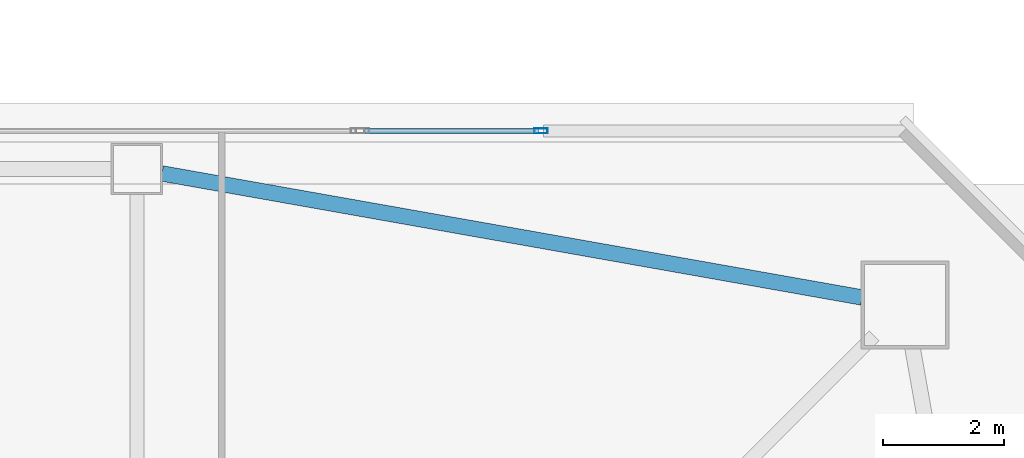
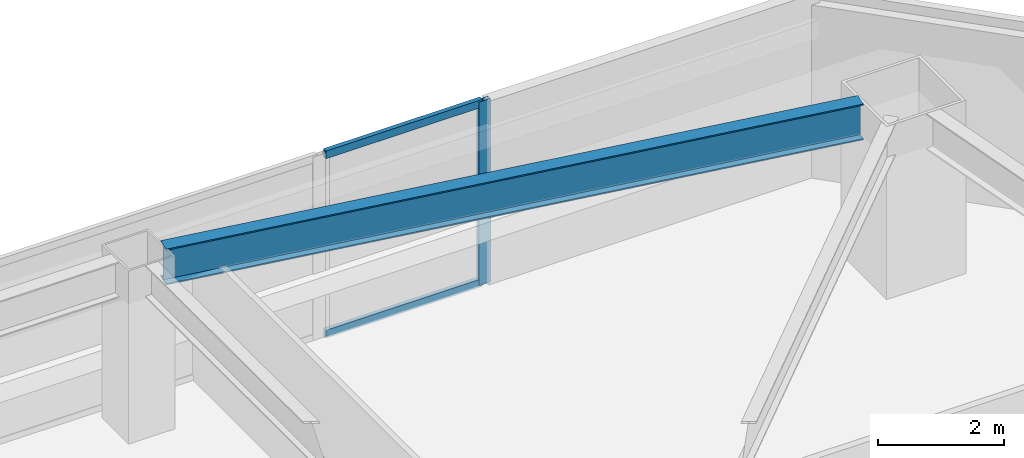
# One storey, part 18 of 49: 3 members, 1 beam, 1 element without a shape of its own.
"""IFC4 building model written with IfcOpenShell, lengths in metres."""

from ifc_helpers import new_model, si_unit, direction, frame, origin, origin_2d, place, context, subcontext, project, spatial, hollow_rectangle, i_section, extrude, material, material_profile, profile_set, type_object, element, aggregate, save


model = new_model("IFC4")

# Units and contexts
model_context = context("Model", 3, precision=1e-05, world=origin(), true_north=direction((0.0, 1.0)))
body_context = subcontext(model_context, "Body", "Model", "MODEL_VIEW")
ifc_project = project(units=[si_unit("LENGTHUNIT", "METRE"), si_unit("AREAUNIT", "SQUARE_METRE"), si_unit("VOLUMEUNIT", "CUBIC_METRE"), si_unit("PLANEANGLEUNIT", "RADIAN"), si_unit("MASSUNIT", "GRAM", prefix="KILO")], contexts=[model_context])

# Site, building, storey
site_placement = place(None, origin())
site = spatial("IfcSite", under=ifc_project, at=site_placement, CompositionType="ELEMENT")
building_placement = place(site_placement, origin())
building = spatial("IfcBuilding", under=site, at=building_placement, Name="Tashvorn Skyway Center", CompositionType="ELEMENT")
storey_placement = place(building_placement, frame((0.0, 0.0, 70.75)))
storey = spatial("IfcBuildingStorey", under=building, at=storey_placement, Name="L18", CompositionType="ELEMENT", Elevation=70.75)

# Beam
ifc_material_1 = material(Name="Steel ASTM A992 Grade 50", Category="steel")
ifc_material_profile_1 = material_profile(ifc_material_1, i_section(OverallWidth=0.256103515625, OverallDepth=0.693115234375, WebThickness=0.014404296875, FlangeThickness=0.023681640625, at=origin_2d()), Name="W27X114")
ifc_profile_set_1 = profile_set([ifc_material_profile_1], Name="Steel ASTM A992 Grade 50")
beam_type = type_object("IfcBeamType", Name="BM-SPANDREL-W27X114", PredefinedType="SPANDREL", material=ifc_profile_set_1)
beam_placement = place(storey_placement, frame((59.39111328125, 50.2255859375, 3.00341796875), z_axis=(-0.98466816531, 0.174437966698, 0.0), x_axis=(-0.174437966698, -0.98466816531, 0.0)))
element("IfcBeam", 1, at=beam_placement, inside=storey, type_object=beam_type, Name="Tower 1 L18 Spandrel Beam 07", PredefinedType="SPANDREL", context=body_context, shape_type="SweptSolid", body=[
    extrude(i_section(OverallWidth=0.256103515625, OverallDepth=0.693115234375, WebThickness=0.014404296875, FlangeThickness=0.023681640625, at=origin_2d()), origin(), (0.0, 0.0, 1.0), 11.7578125),
])

# Curtain wall, members
ifc_material_2 = material(Name="Thermally broken bronze-anodized aluminium 6063-T6", Category="aluminium")
curtain_wall_type = type_object("IfcCurtainWallType", Name="CW-CW-Z2", PredefinedType="NOTDEFINED", material=ifc_material_2)
curtain_wall_placement = place(storey_placement, origin())
curtain_wall = element("IfcCurtainWall", 2, at=curtain_wall_placement, inside=storey, type_object=curtain_wall_type, Name="Tower 1 L18 North Unitised Curtain Wall Glazing Group 3", PredefinedType="NOTDEFINED")
ifc_material_profile_2 = material_profile(ifc_material_2, hollow_rectangle(XDim=0.080078125, YDim=0.219970703125, WallThickness=0.0048828125, at=origin_2d()), Name="ALU-MULL-80x220")
ifc_profile_set_2 = profile_set([ifc_material_profile_2], Name="Thermally broken bronze-anodized aluminium 6063-T6")
member_type_1 = type_object("IfcMemberType", Name="CWM-CW-Z2", PredefinedType="MULLION", material=ifc_profile_set_2)
member_1_placement = place(storey_placement, frame((54.080078125, 52.97998046875, 0.0), z_axis=(0.0, 0.0, 1.0), x_axis=(0.0, 1.0, 0.0)))
member_1 = element("IfcMember", 3, at=member_1_placement, type_object=member_type_1, Name="CW-Z2 mullion 2", PredefinedType="MULLION", context=body_context, shape_type="SweptSolid", body=[
    extrude(hollow_rectangle(XDim=0.080078125, YDim=0.219970703125, WallThickness=0.0048828125, at=origin_2d()), origin(), (0.0, 0.0, 1.0), 3.550048828125),
])
ifc_material_profile_3 = material_profile(ifc_material_2, hollow_rectangle(XDim=0.080078125, YDim=0.14990234375, WallThickness=0.00439453125, at=origin_2d()), Name="ALU-TRAN-80x150")
ifc_profile_set_3 = profile_set([ifc_material_profile_3], Name="Thermally broken bronze-anodized aluminium 6063-T6")
member_type_2 = type_object("IfcMemberType", Name="CWT-CW-Z2", PredefinedType="USERDEFINED", material=ifc_profile_set_3)
member_2_placement = place(storey_placement, frame((51.169921875, 52.97998046875, 0.0400390625), z_axis=(1.0, 0.0, 0.0), x_axis=(0.0, 1.0, 0.0)))
member_2 = element("IfcMember", 4, at=member_2_placement, type_object=member_type_2, Name="CW-Z2 transom 1.1", ObjectType="TRANSOM", PredefinedType="USERDEFINED", context=body_context, shape_type="SweptSolid", body=[
    extrude(hollow_rectangle(XDim=0.080078125, YDim=0.14990234375, WallThickness=0.00439453125, at=origin_2d()), origin(), (0.0, 0.0, 1.0), 2.8701171875),
])
member_3_placement = place(storey_placement, frame((51.169921875, 52.97998046875, 3.510009765625), z_axis=(1.0, 0.0, 0.0), x_axis=(0.0, 1.0, 0.0)))
member_3 = element("IfcMember", 5, at=member_3_placement, type_object=member_type_2, Name="CW-Z2 transom 1.2", ObjectType="TRANSOM", PredefinedType="USERDEFINED", context=body_context, shape_type="SweptSolid", body=[
    extrude(hollow_rectangle(XDim=0.080078125, YDim=0.14990234375, WallThickness=0.00439453125, at=origin_2d()), origin(), (0.0, 0.0, 1.0), 2.8701171875),
])
aggregate(curtain_wall, [member_1, member_2, member_3])

save(model, "model.ifc")
